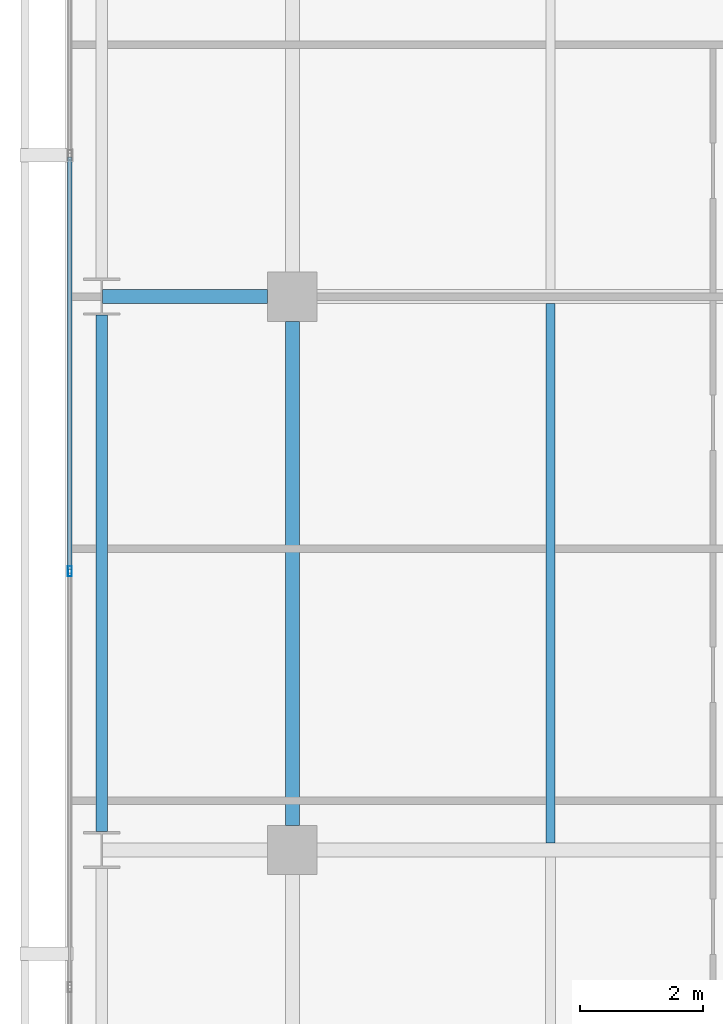
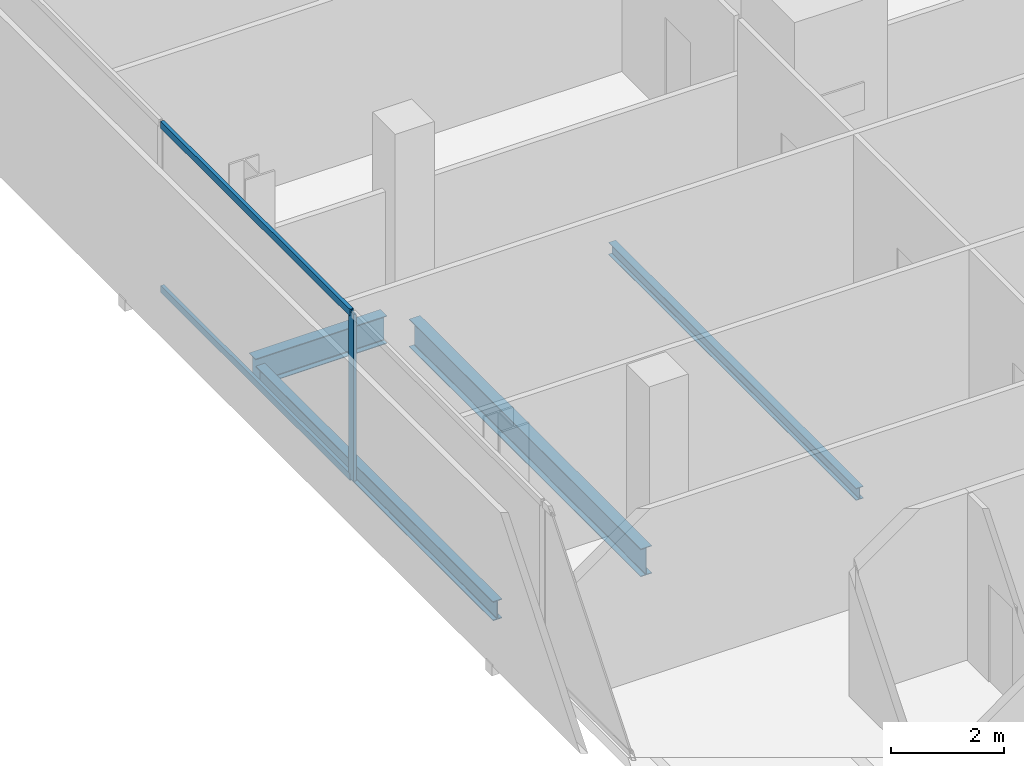
# One storey, part 8 of 34: 4 beams, 3 members, 1 element without a shape of its own.
"""IFC4 building model written with IfcOpenShell, lengths in metres."""

from ifc_helpers import new_model, si_unit, direction, frame, origin, origin_2d, place, context, subcontext, project, spatial, hollow_rectangle, i_section, extrude, material, layer, layer_set, material_profile, profile_set, type_object, element, aggregate, save


model = new_model("IFC4")

# Units and contexts
model_context = context("Model", 3, precision=1e-05, world=origin(), true_north=direction((0.0, 1.0)))
body_context = subcontext(model_context, "Body", "Model", "MODEL_VIEW")
ifc_project = project(units=[si_unit("LENGTHUNIT", "METRE"), si_unit("AREAUNIT", "SQUARE_METRE"), si_unit("VOLUMEUNIT", "CUBIC_METRE"), si_unit("PLANEANGLEUNIT", "RADIAN"), si_unit("MASSUNIT", "GRAM", prefix="KILO")], contexts=[model_context])

# Site, building, storey
site_placement = place(None, origin())
site = spatial("IfcSite", under=ifc_project, at=site_placement, CompositionType="ELEMENT")
building_placement = place(site_placement, origin())
building = spatial("IfcBuilding", under=site, at=building_placement, Name="Maruvema Waterfront Hotel and Observation Tower", CompositionType="ELEMENT")
storey_placement = place(building_placement, frame((0.0, 0.0, 181.300048828125)))
storey = spatial("IfcBuildingStorey", under=building, at=storey_placement, Name="L44", CompositionType="ELEMENT", Elevation=181.300048828125)

# Curtain wall, members
ifc_material_1 = material(Name="Anodised bronze aluminium and solar-control low-E IGU", Category="aluminium")
ifc_layer = layer(ifc_material_1, 0.159912109375, Name="Zone 2 Amber Inner Thermal Curtain Wall System CW-03")
ifc_layer_set = layer_set([ifc_layer], Name="Anodised bronze aluminium and solar-control low-E IGU")
curtain_wall_type = type_object("IfcCurtainWallType", Name="Zone 2 Amber Inner Thermal Curtain Wall System CW-03", PredefinedType="USERDEFINED", material=ifc_layer_set)
curtain_wall_placement = place(storey_placement, origin())
curtain_wall = element("IfcCurtainWall", 1, at=curtain_wall_placement, inside=storey, type_object=curtain_wall_type, Name="L44 Curtain Wall CW-L44-W", ObjectType="UNITISED CURTAIN WALL", PredefinedType="USERDEFINED")
ifc_material_2 = material(Name="Anodised architectural bronze aluminium", Category="aluminium")
ifc_material_profile_1 = material_profile(ifc_material_2, hollow_rectangle(XDim=0.070068359375, YDim=0.14990234375, WallThickness=0.00390625, at=origin_2d()), Name="ALU-T70x150")
ifc_profile_set_1 = profile_set([ifc_material_profile_1], Name="Anodised architectural bronze aluminium")
member_type_1 = type_object("IfcMemberType", Name="Curtain Wall Horizontal Transom ALU-T70x150", PredefinedType="USERDEFINED", material=ifc_profile_set_1)
member_1_placement = place(storey_placement, frame((13.179931640625, 29.27001953125, 0.030029296875), z_axis=(0.0, -1.0, 0.0), x_axis=(1.0, 0.0, 0.0)))
member_1 = element("IfcMember", 2, at=member_1_placement, type_object=member_type_1, Name="CW-03 transom 4.1", ObjectType="TRANSOM", PredefinedType="USERDEFINED", context=body_context, shape_type="SweptSolid", body=[
    extrude(hollow_rectangle(XDim=0.070068359375, YDim=0.14990234375, WallThickness=0.00390625, at=origin_2d()), origin(), (0.0, 0.0, 1.0), 6.706787109375),
])
member_2_placement = place(storey_placement, frame((13.179931640625, 29.27001953125, 3.579833984375), z_axis=(0.0, -1.0, 0.0), x_axis=(1.0, 0.0, 0.0)))
member_2 = element("IfcMember", 3, at=member_2_placement, type_object=member_type_1, Name="CW-03 transom 4.2", ObjectType="TRANSOM", PredefinedType="USERDEFINED", context=body_context, shape_type="SweptSolid", body=[
    extrude(hollow_rectangle(XDim=0.070068359375, YDim=0.14990234375, WallThickness=0.00390625, at=origin_2d()), origin(), (0.0, 0.0, 1.0), 6.706787109375),
])
ifc_material_3 = material(Name="Anodised architectural bronze aluminium", Category="aluminium")
ifc_material_profile_2 = material_profile(ifc_material_3, hollow_rectangle(XDim=0.06494140625, YDim=0.1650390625, WallThickness=0.00390625, at=origin_2d()), Name="ALU-M65x165")
ifc_profile_set_2 = profile_set([ifc_material_profile_2], Name="Anodised architectural bronze aluminium")
member_type_2 = type_object("IfcMemberType", Name="Curtain Wall Primary Mullion ALU-M65x165", PredefinedType="MULLION", material=ifc_profile_set_2)
member_3_placement = place(storey_placement, frame((13.179931640625, 22.533447265625, 0.0), z_axis=(0.0, 0.0, 1.0), x_axis=(1.0, 0.0, 0.0)))
member_3 = element("IfcMember", 4, at=member_3_placement, type_object=member_type_2, Name="CW-03 mullion 5", PredefinedType="MULLION", context=body_context, shape_type="SweptSolid", body=[
    extrude(hollow_rectangle(XDim=0.06494140625, YDim=0.1650390625, WallThickness=0.00390625, at=origin_2d()), origin(), (0.0, 0.0, 1.0), 3.60986328125),
])
aggregate(curtain_wall, [member_3, member_1, member_2])

# Beams
ifc_material_4 = material(Name="Steel ASTM A572 Grade 50", Category="steel")
ifc_material_profile_3 = material_profile(ifc_material_4, i_section(OverallWidth=0.180908203125, OverallDepth=0.4169921875, WebThickness=0.010986328125, FlangeThickness=0.018310546875, FilletRadius=0.014892578125, at=origin_2d()), Name="W410x85.0")
ifc_profile_set_3 = profile_set([ifc_material_profile_3], Name="Steel ASTM A572 Grade 50")
beam_type_1 = type_object("IfcBeamType", Name="Perimeter Spandrel Beam W410x85.0", PredefinedType="SPANDREL", material=ifc_profile_set_3)
beam_1_placement = place(storey_placement, frame((13.699951171875, 18.300048828125, -0.448486328125), z_axis=(0.0, 1.0, 0.0), x_axis=(-1.0, 0.0, 0.0)))
element("IfcBeam", 5, at=beam_1_placement, inside=storey, type_object=beam_type_1, Name="L44 Floor Girder NS-02", PredefinedType="SPANDREL", context=body_context, shape_type="SweptSolid", body=[
    extrude(i_section(OverallWidth=0.180908203125, OverallDepth=0.4169921875, WebThickness=0.010986328125, FlangeThickness=0.018310546875, FilletRadius=0.014892578125, at=origin_2d()), origin(), (0.0, 0.0, 1.0), 8.39990234375),
])
ifc_material_5 = material(Name="Steel ASTM A572 Grade 50", Category="steel")
ifc_material_profile_4 = material_profile(ifc_material_5, i_section(OverallWidth=0.22802734375, OverallDepth=0.60302734375, WebThickness=0.010498046875, FlangeThickness=0.014892578125, FilletRadius=0.01806640625, at=origin_2d()), Name="W610x101.0")
ifc_profile_set_4 = profile_set([ifc_material_profile_4], Name="Steel ASTM A572 Grade 50")
beam_type_2 = type_object("IfcBeamType", Name="Primary Floor Girder W610x101.0", PredefinedType="BEAM", material=ifc_profile_set_4)
beam_2_placement = place(storey_placement, frame((13.71240234375, 27.0, -0.54150390625), z_axis=(1.0, 0.0, 0.0), x_axis=(0.0, 1.0, 0.0)))
element("IfcBeam", 6, at=beam_2_placement, inside=storey, type_object=beam_type_2, Name="L44 Floor Girder EW-18", PredefinedType="BEAM", context=body_context, shape_type="SweptSolid", body=[
    extrude(i_section(OverallWidth=0.22802734375, OverallDepth=0.60302734375, WebThickness=0.010498046875, FlangeThickness=0.014892578125, FilletRadius=0.01806640625, at=origin_2d()), origin(), (0.0, 0.0, 1.0), 2.6875),
])
beam_3_placement = place(storey_placement, frame((16.800048828125, 18.39990234375, -0.54150390625), z_axis=(0.0, 1.0, 0.0), x_axis=(-1.0, 0.0, 0.0)))
element("IfcBeam", 7, at=beam_3_placement, inside=storey, type_object=beam_type_2, Name="L44 Floor Girder NS-06", PredefinedType="BEAM", context=body_context, shape_type="SweptSolid", body=[
    extrude(i_section(OverallWidth=0.22802734375, OverallDepth=0.60302734375, WebThickness=0.010498046875, FlangeThickness=0.014892578125, FilletRadius=0.01806640625, at=origin_2d()), origin(), (0.0, 0.0, 1.0), 8.2001953125),
])
ifc_material_6 = material(Name="Steel ASTM A572 Grade 50", Category="steel")
ifc_material_profile_5 = material_profile(ifc_material_6, i_section(OverallWidth=0.14794921875, OverallDepth=0.26611328125, WebThickness=0.007568359375, FlangeThickness=0.012939453125, FilletRadius=0.012939453125, at=origin_2d()), Name="W250x44.8")
ifc_profile_set_5 = profile_set([ifc_material_profile_5], Name="Steel ASTM A572 Grade 50")
beam_type_3 = type_object("IfcBeamType", Name="Secondary Floor Joist W250x44.8", PredefinedType="JOIST", material=ifc_profile_set_5)
beam_4_placement = place(storey_placement, frame((21.0, 18.114013671875, -0.373046875), z_axis=(0.0, 1.0, 0.0), x_axis=(-1.0, 0.0, 0.0)))
element("IfcBeam", 8, at=beam_4_placement, inside=storey, type_object=beam_type_3, Name="L44 Secondary Floor Joist JS-02", PredefinedType="JOIST", context=body_context, shape_type="SweptSolid", body=[
    extrude(i_section(OverallWidth=0.14794921875, OverallDepth=0.26611328125, WebThickness=0.007568359375, FlangeThickness=0.012939453125, FilletRadius=0.012939453125, at=origin_2d()), origin(), (0.0, 0.0, 1.0), 8.77197265625),
])

save(model, "model.ifc")
